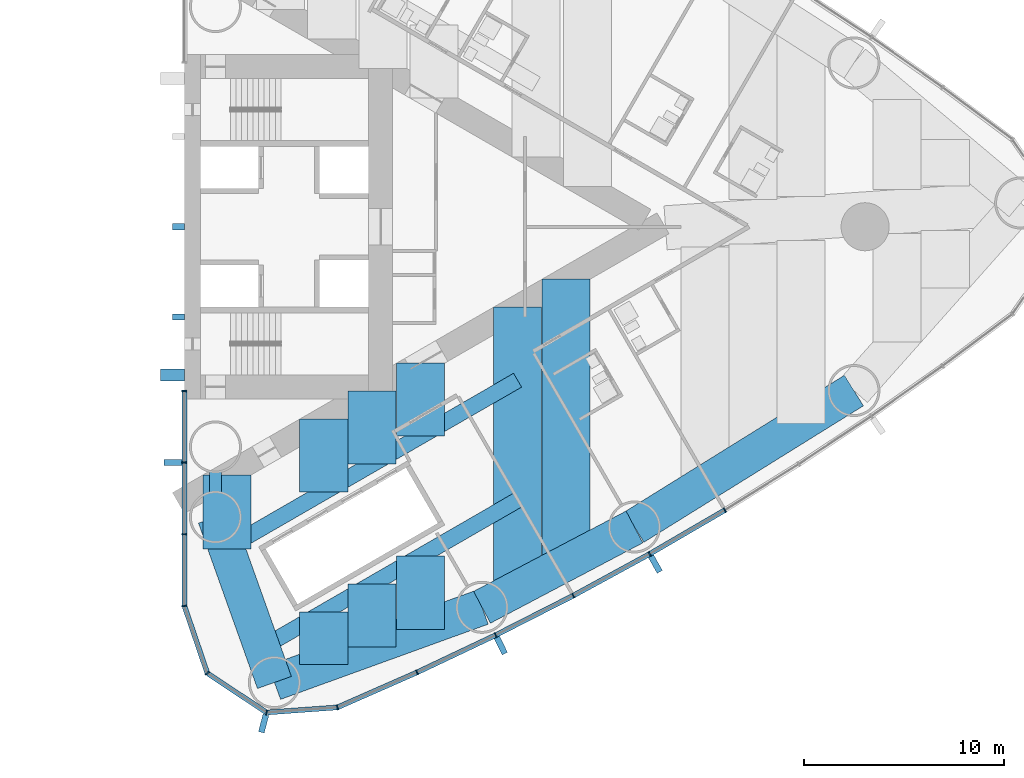
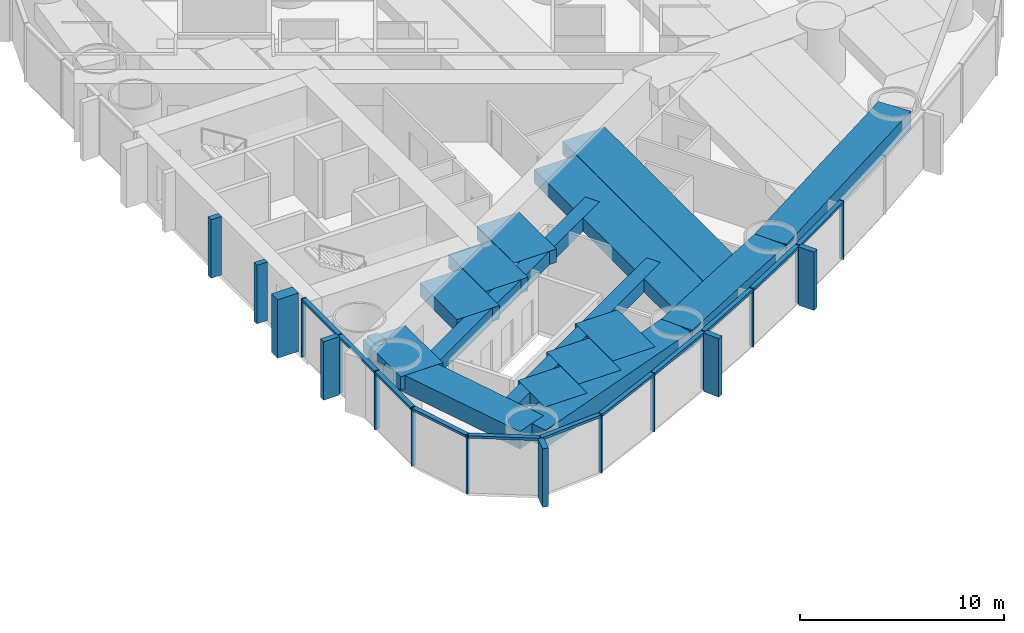
# One storey, part 6 of 18: 30 members, 16 beams, 1 element without a shape of its own.
"""IFC4 building model written with IfcOpenShell, lengths in metres."""

import ifcopenshell
import ifcopenshell.guid

model = None  # the IFC model being written
_history = None  # IfcOwnerHistory: only IFC2X3 demands one
_inside = {}  # id of a spatial element -> (the spatial element, [elements in it])
_under = {}  # id of a project, library or spatial element -> (it, [spatial elements below it])
_declared = {}  # id of a project -> (the project, [libraries it declares])
_typed = {}  # id of a type object -> (the type object, [elements of that type])
_made_of = {}  # id of a material, layer set ... -> (it, [elements and type objects made of it])


def new_model(schema):
    """Start an empty IFC model of exactly this schema.

    Asked for "IFC4X3", IfcOpenShell would pick the latest addendum, in which some entities
    have other attributes; the version numbers below select the first issue.
    IFC2X3 requires an IfcOwnerHistory on every rooted entity: one is made here for all.
    """
    global model, _history
    if schema == "IFC4X3":
        model = ifcopenshell.file(schema_version=(4, 3, 0, 0))
    else:
        model = ifcopenshell.file(schema=schema)
    _inside.clear()
    _under.clear()
    _declared.clear()
    _typed.clear()
    _made_of.clear()
    _history = None
    if model.schema == "IFC2X3":
        org = make("IfcOrganization", Name="unknown")
        user = make(
            "IfcPersonAndOrganization",
            ThePerson=make("IfcPerson", FamilyName="unknown"),
            TheOrganization=org,
        )
        app = make(
            "IfcApplication",
            ApplicationDeveloper=org,
            Version="unknown",
            ApplicationFullName="unknown",
            ApplicationIdentifier="unknown",
        )
        _history = make(
            "IfcOwnerHistory",
            OwningUser=user,
            OwningApplication=app,
            ChangeAction="ADDED",
            CreationDate=0,
        )
    return model


def make(cls, **values):
    """One entity of the class cls with the attributes given. An attribute that is None is left unset."""
    return model.create_entity(
        cls, **{name: value for name, value in values.items() if value is not None}
    )


def rooted(cls, **values):
    """An entity with a GlobalId (a new one), such as an element, a storey or a relation."""
    return make(cls, GlobalId=ifcopenshell.guid.new(), OwnerHistory=_history, **values)


def si_unit(unit_type, name, prefix=None):
    """IfcSIUnit, for example si_unit("LENGTHUNIT", "METRE", prefix="MILLI")."""
    return make("IfcSIUnit", UnitType=unit_type, Prefix=prefix, Name=name)


def assignment(units):
    """IfcUnitAssignment: the units of a project."""
    return None if units is None else make("IfcUnitAssignment", Units=units)


def point(xyz):
    """IfcCartesianPoint."""
    return None if xyz is None else make("IfcCartesianPoint", Coordinates=xyz)


def direction(xyz):
    """IfcDirection."""
    return None if xyz is None else make("IfcDirection", DirectionRatios=xyz)


def frame(location, z_axis=None, x_axis=None):
    """IfcAxis2Placement3D, a coordinate frame: its origin and axes. An axis left out is left unset."""
    return make(
        "IfcAxis2Placement3D",
        Location=point(location),
        Axis=direction(z_axis),
        RefDirection=direction(x_axis),
    )


def frame_2d(location, x_axis=None):
    """IfcAxis2Placement2D, a coordinate frame in the plane: its origin and x axis."""
    return make(
        "IfcAxis2Placement2D", Location=point(location), RefDirection=direction(x_axis)
    )


def origin():
    """The frame at (0, 0, 0) with its axes left unset."""
    return frame((0.0, 0.0, 0.0))


def origin_2d():
    """The frame at (0, 0) in the plane with its x axis left unset."""
    return frame_2d((0.0, 0.0))


def place(relative_to, where):
    """IfcLocalPlacement: puts the frame where relative to a parent placement (None: the world)."""
    return make(
        "IfcLocalPlacement", PlacementRelTo=relative_to, RelativePlacement=where
    )


def context(
    kind, dimensions, precision=None, world=None, true_north=None, identifier=None
):
    """IfcGeometricRepresentationContext, for example the 3D "Model" context."""
    return make(
        "IfcGeometricRepresentationContext",
        ContextIdentifier=identifier,
        ContextType=kind,
        CoordinateSpaceDimension=dimensions,
        Precision=precision,
        WorldCoordinateSystem=world,
        TrueNorth=true_north,
    )


def subcontext(parent, identifier, kind, view, scale=None):
    """IfcGeometricRepresentationSubContext, for example "Body" below "Model"."""
    return make(
        "IfcGeometricRepresentationSubContext",
        ContextIdentifier=identifier,
        ContextType=kind,
        ParentContext=parent,
        TargetScale=scale,
        TargetView=view,
    )


def project(units=None, contexts=None):
    """IfcProject with its units and contexts."""
    return rooted(
        "IfcProject",
        Name="project",
        RepresentationContexts=contexts,
        UnitsInContext=assignment(units),
    )


def spatial(cls, under=None, at=None, **own):
    """A site, building, storey or space (cls), placed at a placement, below another one or the project."""
    s = rooted(cls, ObjectPlacement=at, **own)
    if under is not None:
        _under.setdefault(under.id(), (under, []))[1].append(s)
    return s


def profile(cls, at=None, kind="AREA", **sizes):
    """A parametric profile (cls). Its sizes go by their IFC names, for example OverallWidth=200.0."""
    return make(cls, ProfileType=kind, Position=at, **sizes)


def rectangle(**sizes):
    """IfcRectangleProfileDef."""
    return profile("IfcRectangleProfileDef", **sizes)


def hollow_rectangle(**sizes):
    """IfcRectangleHollowProfileDef."""
    return profile("IfcRectangleHollowProfileDef", **sizes)


def extrude(swept, where, along, depth):
    """IfcExtrudedAreaSolid: the profile swept, set in the frame where, extruded along a direction by depth."""
    return make(
        "IfcExtrudedAreaSolid",
        SweptArea=swept,
        Position=where,
        ExtrudedDirection=direction(along),
        Depth=depth,
    )


def shape(context_of_items, identifier, shape_type, items):
    """IfcShapeRepresentation: the items that make up one representation, for example the "Body"."""
    return make(
        "IfcShapeRepresentation",
        ContextOfItems=context_of_items,
        RepresentationIdentifier=identifier,
        RepresentationType=shape_type,
        Items=items,
    )


def material(Name=None, Category=None):
    """IfcMaterial."""
    return make("IfcMaterial", Name=Name, Category=Category)


def material_profile(
    of_material, cross_section, Name=None, Category=None, Priority=None
):
    """IfcMaterialProfile: a cross section and its material."""
    return make(
        "IfcMaterialProfile",
        Name=Name,
        Material=of_material,
        Profile=cross_section,
        Priority=Priority,
        Category=Category,
    )


def profile_set(profiles, Name=None, composite=None):
    """IfcMaterialProfileSet."""
    return make(
        "IfcMaterialProfileSet",
        Name=Name,
        MaterialProfiles=profiles,
        CompositeProfile=composite,
    )


def made_of(thing, what):
    """Note that an element or type object is made of a material, layer set ...; save() writes the relation."""
    if what is not None:
        _made_of.setdefault(what.id(), (what, []))[1].append(thing)
    return thing


def type_object(cls, material=None, **own):
    """A type object (cls), such as IfcWallType, which elements share."""
    return made_of(rooted(cls, **own), material)


def element(
    cls,
    number,
    at=None,
    inside=None,
    cuts=None,
    type_object=None,
    material=None,
    context=None,
    identifier="Body",
    shape_type=None,
    held_by="IfcProductDefinitionShape",
    body=None,
    shapes=None,
    **own,
):
    """One element of the class cls, such as IfcWall. Its Tag is "e" and its number.

    at: its placement. inside: the storey or other place that contains it. cuts: it is an
    opening in that element (IfcRelVoidsElement). A single representation is given by context,
    identifier, shape_type and body (its items); several are given by shapes. held_by: the class
    of the entity that holds the representations. save() writes the other relations.
    """
    e = rooted(cls, Tag="e%d" % number, ObjectPlacement=at, **own)
    if body is not None:
        shapes = [shape(context, identifier, shape_type, body)]
    if shapes is not None:
        e.Representation = make(held_by, Representations=shapes)
    if inside is not None:
        _inside.setdefault(inside.id(), (inside, []))[1].append(e)
    if cuts is not None:
        rooted(
            "IfcRelVoidsElement", RelatingBuildingElement=cuts, RelatedOpeningElement=e
        )
    if type_object is not None:
        _typed.setdefault(type_object.id(), (type_object, []))[1].append(e)
    return made_of(e, material)


def aggregate(whole, parts):
    """IfcRelAggregates: a whole, such as a stair, and the parts it consists of."""
    return rooted("IfcRelAggregates", RelatingObject=whole, RelatedObjects=parts)


def save(model, path):
    """Write the relations noted so far, then the file.

    IfcRelAggregates (storeys below a building ...), IfcRelContainedInSpatialStructure (elements
    in a storey), IfcRelDefinesByType, IfcRelAssociatesMaterial and IfcRelDeclares: one each for
    every whole, place, type object, material and project.
    """
    for whole, parts in _under.values():
        aggregate(whole, parts)
    for where, things in _inside.values():
        rooted(
            "IfcRelContainedInSpatialStructure",
            RelatedElements=things,
            RelatingStructure=where,
        )
    for kind, things in _typed.values():
        rooted("IfcRelDefinesByType", RelatedObjects=things, RelatingType=kind)
    for what, things in _made_of.values():
        rooted("IfcRelAssociatesMaterial", RelatedObjects=things, RelatingMaterial=what)
    for by, libraries in _declared.values():
        rooted("IfcRelDeclares", RelatingContext=by, RelatedDefinitions=libraries)
    model.write(path)


model = new_model("IFC4")

# Units and contexts
model_context = context("Model", 3, precision=1e-05, world=origin(), true_north=direction((0.0, 1.0)))
body_context = subcontext(model_context, "Body", "Model", "MODEL_VIEW")
ifc_project = project(units=[si_unit("LENGTHUNIT", "METRE"), si_unit("AREAUNIT", "SQUARE_METRE"), si_unit("VOLUMEUNIT", "CUBIC_METRE"), si_unit("PLANEANGLEUNIT", "RADIAN"), si_unit("MASSUNIT", "GRAM", prefix="KILO")], contexts=[model_context])

# Site, building, storey
site_placement = place(None, origin())
site = spatial("IfcSite", under=ifc_project, at=site_placement, CompositionType="ELEMENT")
building_placement = place(site_placement, origin())
building = spatial("IfcBuilding", under=site, at=building_placement, Name="Lancet Gate Hotel", CompositionType="ELEMENT")
storey_placement = place(building_placement, frame((0.0, 0.0, 129.10009765625)))
storey = spatial("IfcBuildingStorey", under=building, at=storey_placement, Name="L34", CompositionType="ELEMENT", Elevation=129.10009765625)

# Curtain wall, members
ifc_material_1 = material(Name="Aluminium curtain wall", Category="aluminium")
curtain_wall_type = type_object("IfcCurtainWallType", Name="Tower unitised curtain wall", PredefinedType="USERDEFINED", material=ifc_material_1)
curtain_wall_placement = place(storey_placement, origin())
curtain_wall = element("IfcCurtainWall", 1, at=curtain_wall_placement, inside=storey, type_object=curtain_wall_type, Name="T2 L34 curtain wall 1", ObjectType="UNITISED CURTAIN WALL", PredefinedType="USERDEFINED")
ifc_material_2 = material(Name="Aluminium mullion", Category="aluminium")
ifc_material_profile_1 = material_profile(ifc_material_2, rectangle(XDim=0.06494140625, YDim=0.25, at=origin_2d()), Name="MULLION 65x250")
ifc_profile_set_1 = profile_set([ifc_material_profile_1], Name="Aluminium mullion")
member_type_1 = type_object("IfcMemberType", Name="Aluminium mullion 65x250", PredefinedType="MULLION", material=ifc_profile_set_1)
member_1_placement = place(storey_placement, frame((27.5, -8.199951171875, 0.0), z_axis=(0.0, 0.0, 1.0), x_axis=(0.0, -1.0, 0.0)))
member_1 = element("IfcMember", 2, at=member_1_placement, type_object=member_type_1, Name="T2 L34 curtain wall 1 mullion 1", PredefinedType="MULLION", context=body_context, shape_type="SweptSolid", body=[
    extrude(rectangle(XDim=0.06494140625, YDim=0.25, at=origin_2d()), origin(), (0.0, 0.0, 1.0), 3.5),
])
member_2_placement = place(storey_placement, frame((27.5, -11.781005859375, 0.0), z_axis=(0.0, 0.0, 1.0), x_axis=(0.0, -1.0, 0.0)))
member_2 = element("IfcMember", 3, at=member_2_placement, type_object=member_type_1, Name="T2 L34 curtain wall 1 mullion 2", PredefinedType="MULLION", context=body_context, shape_type="SweptSolid", body=[
    extrude(rectangle(XDim=0.06494140625, YDim=0.25, at=origin_2d()), origin(), (0.0, 0.0, 1.0), 3.5),
])
member_3_placement = place(storey_placement, frame((27.5, -15.362060546875, 0.0), z_axis=(0.0, 0.0, 1.0), x_axis=(0.0, -1.0, 0.0)))
member_3 = element("IfcMember", 4, at=member_3_placement, type_object=member_type_1, Name="T2 L34 curtain wall 1 mullion 3", PredefinedType="MULLION", context=body_context, shape_type="SweptSolid", body=[
    extrude(rectangle(XDim=0.06494140625, YDim=0.25, at=origin_2d()), origin(), (0.0, 0.0, 1.0), 3.5),
])
member_4_placement = place(storey_placement, frame((27.5, -18.94287109375, 0.0), z_axis=(0.0, 0.0, 1.0), x_axis=(0.162738742557, -0.986669195663, 0.0)))
member_4 = element("IfcMember", 5, at=member_4_placement, type_object=member_type_1, Name="T2 L34 curtain wall 1 mullion 4", PredefinedType="MULLION", context=body_context, shape_type="SweptSolid", body=[
    extrude(rectangle(XDim=0.06494140625, YDim=0.25, at=origin_2d()), origin(), (0.0, 0.0, 1.0), 3.5),
])
member_5_placement = place(storey_placement, frame((28.64453125, -22.301513671875, 0.0), z_axis=(0.0, 0.0, 1.0), x_axis=(0.610663954798, -0.79188984986, 0.0)))
member_5 = element("IfcMember", 6, at=member_5_placement, type_object=member_type_1, Name="T2 L34 curtain wall 1 mullion 5", PredefinedType="MULLION", context=body_context, shape_type="SweptSolid", body=[
    extrude(rectangle(XDim=0.06494140625, YDim=0.25, at=origin_2d()), origin(), (0.0, 0.0, 1.0), 3.5),
])
member_6_placement = place(storey_placement, frame((31.60205078125, -24.26220703125, 0.0), z_axis=(0.0, 0.0, 1.0), x_axis=(0.967157174963, -0.254179068604, 0.0)))
member_6 = element("IfcMember", 7, at=member_6_placement, type_object=member_type_1, Name="T2 L34 curtain wall 1 mullion 6", PredefinedType="MULLION", context=body_context, shape_type="SweptSolid", body=[
    extrude(rectangle(XDim=0.06494140625, YDim=0.25, at=origin_2d()), origin(), (0.0, 0.0, 1.0), 3.5),
])
member_7_placement = place(storey_placement, frame((35.141357421875, -24.009033203125, 0.0), z_axis=(0.0, 0.0, 1.0), x_axis=(0.966317378791, 0.257353304711, 0.0)))
member_7 = element("IfcMember", 8, at=member_7_placement, type_object=member_type_1, Name="T2 L34 curtain wall 1 mullion 7", PredefinedType="MULLION", context=body_context, shape_type="SweptSolid", body=[
    extrude(rectangle(XDim=0.06494140625, YDim=0.25, at=origin_2d()), origin(), (0.0, 0.0, 1.0), 3.5),
])
member_8_placement = place(storey_placement, frame((39.12109375, -22.259765625, 0.0), z_axis=(0.0, 0.0, 1.0), x_axis=(0.909672766767, 0.415325724465, 0.0)))
member_8 = element("IfcMember", 9, at=member_8_placement, type_object=member_type_1, Name="T2 L34 curtain wall 1 mullion 8", PredefinedType="MULLION", context=body_context, shape_type="SweptSolid", body=[
    extrude(rectangle(XDim=0.06494140625, YDim=0.25, at=origin_2d()), origin(), (0.0, 0.0, 1.0), 3.5),
])
member_9_placement = place(storey_placement, frame((43.0498046875, -20.398193359375, 0.0), z_axis=(0.0, 0.0, 1.0), x_axis=(0.897511886496, 0.440990264743, 0.0)))
member_9 = element("IfcMember", 10, at=member_9_placement, type_object=member_type_1, Name="T2 L34 curtain wall 1 mullion 9", PredefinedType="MULLION", context=body_context, shape_type="SweptSolid", body=[
    extrude(rectangle(XDim=0.06494140625, YDim=0.25, at=origin_2d()), origin(), (0.0, 0.0, 1.0), 3.5),
])
member_10_placement = place(storey_placement, frame((46.923828125, -18.426025390625, 0.0), z_axis=(0.0, 0.0, 1.0), x_axis=(0.884627112962, 0.466299121822, 0.0)))
member_10 = element("IfcMember", 11, at=member_10_placement, type_object=member_type_1, Name="T2 L34 curtain wall 1 mullion 10", PredefinedType="MULLION", context=body_context, shape_type="SweptSolid", body=[
    extrude(rectangle(XDim=0.06494140625, YDim=0.25, at=origin_2d()), origin(), (0.0, 0.0, 1.0), 3.5),
])
member_11_placement = place(storey_placement, frame((50.740478515625, -16.344482421875, 0.0), z_axis=(0.0, 0.0, 1.0), x_axis=(0.871028838445, 0.491231882716, 0.0)))
member_11 = element("IfcMember", 12, at=member_11_placement, type_object=member_type_1, Name="T2 L34 curtain wall 1 mullion 11", PredefinedType="MULLION", context=body_context, shape_type="SweptSolid", body=[
    extrude(rectangle(XDim=0.06494140625, YDim=0.25, at=origin_2d()), origin(), (0.0, 0.0, 1.0), 3.5),
])
member_12_placement = place(storey_placement, frame((54.496337890625, -14.1552734375, 0.0), z_axis=(0.0, 0.0, 1.0), x_axis=(0.856728030701, 0.515768437781, 0.0)))
member_12 = element("IfcMember", 13, at=member_12_placement, type_object=member_type_1, Name="T2 L34 curtain wall 1 mullion 12", PredefinedType="MULLION", context=body_context, shape_type="SweptSolid", body=[
    extrude(rectangle(XDim=0.06494140625, YDim=0.25, at=origin_2d()), origin(), (0.0, 0.0, 1.0), 3.5),
])
ifc_material_3 = material(Name="Aluminium transom", Category="aluminium")
ifc_material_profile_2 = material_profile(ifc_material_3, rectangle(XDim=0.25, YDim=0.14990234375, at=origin_2d()), Name="TRANSOM 250x150")
ifc_profile_set_2 = profile_set([ifc_material_profile_2], Name="Aluminium transom")
member_type_2 = type_object("IfcMemberType", Name="Aluminium transom 250x150", PredefinedType="USERDEFINED", material=ifc_profile_set_2)
member_13_placement = place(storey_placement, frame((27.5, -8.232421875, 3.4248046875), z_axis=(0.0, -1.0, 0.0), x_axis=(1.0, 0.0, 0.0)))
member_13 = element("IfcMember", 14, at=member_13_placement, type_object=member_type_2, Name="T2 L34 curtain wall 1 transom 1", ObjectType="TRANSOM", PredefinedType="USERDEFINED", context=body_context, shape_type="SweptSolid", body=[
    extrude(rectangle(XDim=0.25, YDim=0.14990234375, at=origin_2d()), origin(), (0.0, 0.0, 1.0), 3.51611328125),
])
member_14_placement = place(storey_placement, frame((27.5, -11.8134765625, 3.4248046875), z_axis=(0.0, -1.0, 0.0), x_axis=(1.0, 0.0, 0.0)))
member_14 = element("IfcMember", 15, at=member_14_placement, type_object=member_type_2, Name="T2 L34 curtain wall 1 transom 2", ObjectType="TRANSOM", PredefinedType="USERDEFINED", context=body_context, shape_type="SweptSolid", body=[
    extrude(rectangle(XDim=0.25, YDim=0.14990234375, at=origin_2d()), origin(), (0.0, 0.0, 1.0), 3.515869140625),
])
member_15_placement = place(storey_placement, frame((27.5, -15.39453125, 3.4248046875), z_axis=(0.0, -1.0, 0.0), x_axis=(1.0, 0.0, 0.0)))
member_15 = element("IfcMember", 16, at=member_15_placement, type_object=member_type_2, Name="T2 L34 curtain wall 1 transom 3", ObjectType="TRANSOM", PredefinedType="USERDEFINED", context=body_context, shape_type="SweptSolid", body=[
    extrude(rectangle(XDim=0.25, YDim=0.14990234375, at=origin_2d()), origin(), (0.0, 0.0, 1.0), 3.515869140625),
])
member_16_placement = place(storey_placement, frame((27.510498046875, -18.9736328125, 3.4248046875), z_axis=(0.322549769135, -0.946552505903, 0.0), x_axis=(0.946552505903, 0.322549769135, 0.0)))
member_16 = element("IfcMember", 17, at=member_16_placement, type_object=member_type_2, Name="T2 L34 curtain wall 1 transom 4", ObjectType="TRANSOM", PredefinedType="USERDEFINED", context=body_context, shape_type="SweptSolid", body=[
    extrude(rectangle(XDim=0.25, YDim=0.14990234375, at=origin_2d()), origin(), (0.0, 0.0, 1.0), 3.4833984375),
])
member_17_placement = place(storey_placement, frame((28.671630859375, -22.319580078125, 3.4248046875), z_axis=(0.833470854141, -0.552563421968, 0.0), x_axis=(0.552563421968, 0.833470854141, 0.0)))
member_17 = element("IfcMember", 18, at=member_17_placement, type_object=member_type_2, Name="T2 L34 curtain wall 1 transom 5", ObjectType="TRANSOM", PredefinedType="USERDEFINED", context=body_context, shape_type="SweptSolid", body=[
    extrude(rectangle(XDim=0.25, YDim=0.14990234375, at=origin_2d()), origin(), (0.0, 0.0, 1.0), 3.4833984375),
])
member_18_placement = place(storey_placement, frame((31.634521484375, -24.260009765625, 3.4248046875), z_axis=(0.997446232115, 0.071421383636, 0.0), x_axis=(-0.071421383636, 0.997446232115, 0.0)))
member_18 = element("IfcMember", 19, at=member_18_placement, type_object=member_type_2, Name="T2 L34 curtain wall 1 transom 6", ObjectType="TRANSOM", PredefinedType="USERDEFINED", context=body_context, shape_type="SweptSolid", body=[
    extrude(rectangle(XDim=0.25, YDim=0.14990234375, at=origin_2d()), origin(), (0.0, 0.0, 1.0), 3.483154296875),
])
member_19_placement = place(storey_placement, frame((35.171142578125, -23.995849609375, 3.4248046875), z_axis=(0.915484772266, 0.402352621155, 0.0), x_axis=(-0.402352621155, 0.915484772266, 0.0)))
member_19 = element("IfcMember", 20, at=member_19_placement, type_object=member_type_2, Name="T2 L34 curtain wall 1 transom 7", ObjectType="TRANSOM", PredefinedType="USERDEFINED", context=body_context, shape_type="SweptSolid", body=[
    extrude(rectangle(XDim=0.25, YDim=0.14990234375, at=origin_2d()), origin(), (0.0, 0.0, 1.0), 4.281982421875),
])
member_20_placement = place(storey_placement, frame((39.150634765625, -22.245849609375, 3.4248046875), z_axis=(0.903679787814, 0.428208875546, 0.0), x_axis=(-0.428208875546, 0.903679787814, 0.0)))
member_20 = element("IfcMember", 21, at=member_20_placement, type_object=member_type_2, Name="T2 L34 curtain wall 1 transom 8", ObjectType="TRANSOM", PredefinedType="USERDEFINED", context=body_context, shape_type="SweptSolid", body=[
    extrude(rectangle(XDim=0.25, YDim=0.14990234375, at=origin_2d()), origin(), (0.0, 0.0, 1.0), 4.282470703125),
])
member_21_placement = place(storey_placement, frame((43.07861328125, -20.383544921875, 3.4248046875), z_axis=(0.891165630033, 0.453678101574, 0.0), x_axis=(-0.453678101574, 0.891165630033, 0.0)))
member_21 = element("IfcMember", 22, at=member_21_placement, type_object=member_type_2, Name="T2 L34 curtain wall 1 transom 9", ObjectType="TRANSOM", PredefinedType="USERDEFINED", context=body_context, shape_type="SweptSolid", body=[
    extrude(rectangle(XDim=0.25, YDim=0.14990234375, at=origin_2d()), origin(), (0.0, 0.0, 1.0), 4.282470703125),
])
member_22_placement = place(storey_placement, frame((46.952392578125, -18.410400390625, 3.4248046875), z_axis=(0.877906466435, 0.478832158685, 0.0), x_axis=(-0.478832158685, 0.877906466435, 0.0)))
member_22 = element("IfcMember", 23, at=member_22_placement, type_object=member_type_2, Name="T2 L34 curtain wall 1 transom 10", ObjectType="TRANSOM", PredefinedType="USERDEFINED", context=body_context, shape_type="SweptSolid", body=[
    extrude(rectangle(XDim=0.25, YDim=0.14990234375, at=origin_2d()), origin(), (0.0, 0.0, 1.0), 4.282470703125),
])
member_23_placement = place(storey_placement, frame((50.7685546875, -16.327880859375, 3.4248046875), z_axis=(0.863973212152, 0.503537772847, 0.0), x_axis=(-0.503537772847, 0.863973212152, 0.0)))
member_23 = element("IfcMember", 24, at=member_23_placement, type_object=member_type_2, Name="T2 L34 curtain wall 1 transom 11", ObjectType="TRANSOM", PredefinedType="USERDEFINED", context=body_context, shape_type="SweptSolid", body=[
    extrude(rectangle(XDim=0.25, YDim=0.14990234375, at=origin_2d()), origin(), (0.0, 0.0, 1.0), 4.2822265625),
])

# Beams
ifc_material_4 = material(Name="Concrete C50/60", Category="concrete")
ifc_material_profile_3 = material_profile(ifc_material_4, rectangle(XDim=1.800048828125, YDim=1.050048828125, at=origin_2d()), Name="RC 1800x1050")
ifc_profile_set_3 = profile_set([ifc_material_profile_3], Name="Concrete C50/60")
beam_type_1 = type_object("IfcBeamType", Name="Edge beam RC 1800x1050", PredefinedType="SPANDREL", material=ifc_profile_set_3)
beam_1_placement = place(storey_placement, frame((31.99609375, -22.76318359375, 2.724853515625), z_axis=(0.940225039526, 0.340553777029, 0.0), x_axis=(-0.340553777029, 0.940225039526, 0.0)))
element("IfcBeam", 25, at=beam_1_placement, inside=storey, type_object=beam_type_1, Name="T2 edge beam EB1 L34", PredefinedType="SPANDREL", context=body_context, shape_type="SweptSolid", body=[
    extrude(rectangle(XDim=1.800048828125, YDim=1.050048828125, at=origin_2d()), origin(), (0.0, 0.0, 1.0), 11.029296875),
])
beam_2_placement = place(storey_placement, frame((42.3662109375, -19.007080078125, 2.724853515625), z_axis=(0.884632510133, 0.466288882578, 0.0), x_axis=(-0.466288882578, 0.884632510133, 0.0)))
element("IfcBeam", 26, at=beam_2_placement, inside=storey, type_object=beam_type_1, Name="T2 edge beam EB1 L34", PredefinedType="SPANDREL", context=body_context, shape_type="SweptSolid", body=[
    extrude(rectangle(XDim=1.800048828125, YDim=1.050048828125, at=origin_2d()), origin(), (0.0, 0.0, 1.0), 8.605712890625),
])
beam_3_placement = place(storey_placement, frame((49.97900390625, -14.994384765625, 2.724853515625), z_axis=(0.849312372751, 0.527890607505, 0.0), x_axis=(-0.527890607505, 0.849312372751, 0.0)))
element("IfcBeam", 27, at=beam_3_placement, inside=storey, type_object=beam_type_1, Name="T2 edge beam EB1 L34", PredefinedType="SPANDREL", context=body_context, shape_type="SweptSolid", body=[
    extrude(rectangle(XDim=1.800048828125, YDim=1.050048828125, at=origin_2d()), origin(), (0.0, 0.0, 1.0), 12.906494140625),
])
beam_4_placement = place(storey_placement, frame((31.99609375, -22.76318359375, 2.724853515625), z_axis=(-0.335821559388, 0.941925623523, 0.0), x_axis=(-0.941925623523, -0.335821559388, 0.0)))
element("IfcBeam", 28, at=beam_4_placement, inside=storey, type_object=beam_type_1, Name="T2 edge beam EB1 L34", PredefinedType="SPANDREL", context=body_context, shape_type="SweptSolid", body=[
    extrude(rectangle(XDim=1.800048828125, YDim=1.050048828125, at=origin_2d()), origin(), (0.0, 0.0, 1.0), 8.772705078125),
])

# Member
ifc_material_5 = material(Name="Concrete C60/75", Category="concrete")
ifc_material_profile_4 = material_profile(ifc_material_5, rectangle(XDim=0.60009765625, YDim=1.199951171875, at=origin_2d()), Name="FIN 600x1200")
ifc_profile_set_4 = profile_set([ifc_material_profile_4], Name="Concrete C60/75")
member_type_3 = type_object("IfcMemberType", Name="Exposed concrete buttress pilaster 600x1200", PredefinedType="USERDEFINED", material=ifc_profile_set_4)
member_24_placement = place(storey_placement, frame((26.909912109375, -7.39990234375, 0.0), z_axis=(0.0, 0.0, 1.0), x_axis=(0.0, 1.0, 0.0)))
element("IfcMember", 29, at=member_24_placement, inside=storey, type_object=member_type_3, Name="T2 buttress pilaster S L34", ObjectType="FIN", PredefinedType="USERDEFINED", context=body_context, shape_type="SweptSolid", body=[
    extrude(rectangle(XDim=0.60009765625, YDim=1.199951171875, at=origin_2d()), origin(), (0.0, 0.0, 1.0), 3.5),
])

ifc_material_6 = material(Name="Precast concrete C50/60", Category="concrete")
ifc_material_profile_5 = material_profile(ifc_material_6, rectangle(XDim=0.300048828125, YDim=0.89990234375, at=origin_2d()), Name="FIN 300x900")
ifc_profile_set_5 = profile_set([ifc_material_profile_5], Name="Precast concrete C50/60")
member_type_4 = type_object("IfcMemberType", Name="Exposed concrete fin 300x900", PredefinedType="USERDEFINED", material=ifc_profile_set_5)
member_25_placement = place(storey_placement, frame((26.925048828125, -11.781005859375, 0.0), z_axis=(0.0, 0.0, 1.0), x_axis=(0.0, -1.0, 0.0)))
member_25 = element("IfcMember", 30, at=member_25_placement, type_object=member_type_4, Name="T2 L34 curtain wall 1 fin 2", ObjectType="FIN", PredefinedType="USERDEFINED", context=body_context, shape_type="SweptSolid", body=[
    extrude(rectangle(XDim=0.300048828125, YDim=0.89990234375, at=origin_2d()), origin(), (0.0, 0.0, 1.0), 3.5),
])

member_26_placement = place(storey_placement, frame((31.455810546875, -24.818359375, 0.0), z_axis=(0.0, 0.0, 1.0), x_axis=(0.967157174963, -0.254179068604, 0.0)))
member_26 = element("IfcMember", 31, at=member_26_placement, type_object=member_type_4, Name="T2 L34 curtain wall 1 fin 6", ObjectType="FIN", PredefinedType="USERDEFINED", context=body_context, shape_type="SweptSolid", body=[
    extrude(rectangle(XDim=0.300048828125, YDim=0.89990234375, at=origin_2d()), origin(), (0.0, 0.0, 1.0), 3.5),
])

member_27_placement = place(storey_placement, frame((43.30322265625, -20.914306640625, 0.0), z_axis=(0.0, 0.0, 1.0), x_axis=(0.897511886496, 0.440990264743, 0.0)))
member_27 = element("IfcMember", 32, at=member_27_placement, type_object=member_type_4, Name="T2 L34 curtain wall 1 fin 9", ObjectType="FIN", PredefinedType="USERDEFINED", context=body_context, shape_type="SweptSolid", body=[
    extrude(rectangle(XDim=0.300048828125, YDim=0.89990234375, at=origin_2d()), origin(), (0.0, 0.0, 1.0), 3.5),
])

member_28_placement = place(storey_placement, frame((51.02294921875, -16.84521484375, 0.0), z_axis=(0.0, 0.0, 1.0), x_axis=(0.871028838445, 0.491231882716, 0.0)))
member_28 = element("IfcMember", 33, at=member_28_placement, type_object=member_type_4, Name="T2 L34 curtain wall 1 fin 11", ObjectType="FIN", PredefinedType="USERDEFINED", context=body_context, shape_type="SweptSolid", body=[
    extrude(rectangle(XDim=0.300048828125, YDim=0.89990234375, at=origin_2d()), origin(), (0.0, 0.0, 1.0), 3.5),
])

aggregate(curtain_wall, [member_1, member_2, member_25, member_3, member_4, member_5, member_6, member_26, member_7, member_8, member_9, member_27, member_10, member_11, member_28, member_12, member_13, member_14, member_15, member_16, member_17, member_18, member_19, member_20, member_21, member_22, member_23])

# Members
ifc_material_7 = material(Name="Concrete C60/75", Category="concrete")
ifc_material_profile_6 = material_profile(ifc_material_7, rectangle(XDim=0.300048828125, YDim=0.60009765625, at=origin_2d()), Name="FIN 300x600")
ifc_profile_set_6 = profile_set([ifc_material_profile_6], Name="Concrete C60/75")
member_type_5 = type_object("IfcMemberType", Name="Exposed concrete rib 300x600", PredefinedType="USERDEFINED", material=ifc_profile_set_6)
for number, where, z_axis, x_axis, name in (
    (34, (27.2099609375, -4.5, 0.0), (0.0, 0.0, 1.0), (0.0, 1.0, 0.0), "T2 core rib 1 L34"),
    (35, (27.2099609375, 0.0, 0.0), (0.0, 0.0, 1.0), (0.0, 1.0, 0.0), "T2 core rib 2 L34"),
):
    element("IfcMember", number, at=place(storey_placement, frame(where, z_axis=z_axis, x_axis=x_axis)), inside=storey, type_object=member_type_5, Name=name, ObjectType="FIN", PredefinedType="USERDEFINED", context=body_context, shape_type="SweptSolid", body=[
        extrude(rectangle(XDim=0.300048828125, YDim=0.60009765625, at=origin_2d()), origin(), (0.0, 0.0, 1.0), 3.5),
    ])

# Beams
ifc_material_8 = material(Name="Concrete C50/60", Category="concrete")
ifc_material_profile_7 = material_profile(ifc_material_8, rectangle(XDim=2.39990234375, YDim=0.800048828125, at=origin_2d()), Name="RC 2400x800")
ifc_profile_set_7 = profile_set([ifc_material_profile_7], Name="Concrete C50/60")
beam_type_2 = type_object("IfcBeamType", Name="Floor beam RC 2400x800", PredefinedType="BEAM", material=ifc_profile_set_7)
beam_5_placement = place(storey_placement, frame((29.6201171875, -16.099365234375, 2.849853515625), z_axis=(0.0, 1.0, 0.0), x_axis=(-1.0, 0.0, 0.0)))
element("IfcBeam", 36, at=beam_5_placement, inside=storey, type_object=beam_type_2, Name="T2 floor beam F01S L34", PredefinedType="BEAM", context=body_context, shape_type="SweptSolid", body=[
    extrude(rectangle(XDim=2.39990234375, YDim=0.800048828125, at=origin_2d()), origin(), (0.0, 0.0, 1.0), 3.69677734375),
])
beam_6_placement = place(storey_placement, frame((44.1416015625, -18.0712890625, 2.849853515625), z_axis=(0.0, 1.0, 0.0), x_axis=(-1.0, 0.0, 0.0)))
element("IfcBeam", 37, at=beam_6_placement, inside=storey, type_object=beam_type_2, Name="T2 floor beam F09S L34", PredefinedType="BEAM", context=body_context, shape_type="SweptSolid", body=[
    extrude(rectangle(XDim=2.39990234375, YDim=0.800048828125, at=origin_2d()), origin(), (0.0, 0.0, 1.0), 14.052490234375),
])
beam_7_placement = place(storey_placement, frame((46.561767578125, -16.795654296875, 2.849853515625), z_axis=(0.0, 1.0, 0.0), x_axis=(-1.0, 0.0, 0.0)))
element("IfcBeam", 38, at=beam_7_placement, inside=storey, type_object=beam_type_2, Name="T2 floor beam F11S L34", PredefinedType="BEAM", context=body_context, shape_type="SweptSolid", body=[
    extrude(rectangle(XDim=2.39990234375, YDim=0.800048828125, at=origin_2d()), origin(), (0.0, 0.0, 1.0), 14.17431640625),
])
beam_8_placement = place(storey_placement, frame((34.460693359375, -21.87060546875, 2.849853515625), z_axis=(0.0, 1.0, 0.0), x_axis=(-1.0, 0.0, 0.0)))
element("IfcBeam", 39, at=beam_8_placement, inside=storey, type_object=beam_type_2, Name="T2 floor beam F03SA L34", PredefinedType="BEAM", context=body_context, shape_type="SweptSolid", body=[
    extrude(rectangle(XDim=2.39990234375, YDim=0.800048828125, at=origin_2d()), origin(), (0.0, 0.0, 1.0), 2.62939453125),
])
beam_9_placement = place(storey_placement, frame((34.460693359375, -13.253662109375, 2.849853515625), z_axis=(0.0, 1.0, 0.0), x_axis=(-1.0, 0.0, 0.0)))
element("IfcBeam", 40, at=beam_9_placement, inside=storey, type_object=beam_type_2, Name="T2 floor beam F03SB L34", PredefinedType="BEAM", context=body_context, shape_type="SweptSolid", body=[
    extrude(rectangle(XDim=2.39990234375, YDim=0.800048828125, at=origin_2d()), origin(), (0.0, 0.0, 1.0), 3.645751953125),
])
beam_10_placement = place(storey_placement, frame((36.880859375, -20.993896484375, 2.849853515625), z_axis=(0.0, 1.0, 0.0), x_axis=(-1.0, 0.0, 0.0)))
element("IfcBeam", 41, at=beam_10_placement, inside=storey, type_object=beam_type_2, Name="T2 floor beam F05SA L34", PredefinedType="BEAM", context=body_context, shape_type="SweptSolid", body=[
    extrude(rectangle(XDim=2.39990234375, YDim=0.800048828125, at=origin_2d()), origin(), (0.0, 0.0, 1.0), 3.150146484375),
])
beam_11_placement = place(storey_placement, frame((36.880859375, -11.8564453125, 2.849853515625), z_axis=(0.0, 1.0, 0.0), x_axis=(-1.0, 0.0, 0.0)))
element("IfcBeam", 42, at=beam_11_placement, inside=storey, type_object=beam_type_2, Name="T2 floor beam F05SB L34", PredefinedType="BEAM", context=body_context, shape_type="SweptSolid", body=[
    extrude(rectangle(XDim=2.39990234375, YDim=0.800048828125, at=origin_2d()), origin(), (0.0, 0.0, 1.0), 3.645751953125),
])
beam_12_placement = place(storey_placement, frame((39.301025390625, -20.1171875, 2.849853515625), z_axis=(0.0, 1.0, 0.0), x_axis=(-1.0, 0.0, 0.0)))
element("IfcBeam", 43, at=beam_12_placement, inside=storey, type_object=beam_type_2, Name="T2 floor beam F07SA L34", PredefinedType="BEAM", context=body_context, shape_type="SweptSolid", body=[
    extrude(rectangle(XDim=2.39990234375, YDim=0.800048828125, at=origin_2d()), origin(), (0.0, 0.0, 1.0), 3.670654296875),
])
beam_13_placement = place(storey_placement, frame((39.301025390625, -10.458984375, 2.849853515625), z_axis=(0.0, 1.0, 0.0), x_axis=(-1.0, 0.0, 0.0)))
element("IfcBeam", 44, at=beam_13_placement, inside=storey, type_object=beam_type_2, Name="T2 floor beam F07SB L34", PredefinedType="BEAM", context=body_context, shape_type="SweptSolid", body=[
    extrude(rectangle(XDim=2.39990234375, YDim=0.800048828125, at=origin_2d()), origin(), (0.0, 0.0, 1.0), 3.6455078125),
])
ifc_material_9 = material(Name="Steel S460QL", Category="steel")
ifc_material_profile_8 = material_profile(ifc_material_9, hollow_rectangle(XDim=0.60009765625, YDim=1.5, WallThickness=0.050048828125, at=origin_2d()), Name="BOX 1500x600x50")
ifc_profile_set_8 = profile_set([ifc_material_profile_8], Name="Steel S460QL")
beam_type_3 = type_object("IfcBeamType", Name="Inner-face link beam BOX 1500x600x50", PredefinedType="BEAM", material=ifc_profile_set_8)
beam_14_placement = place(storey_placement, frame((29.050048828125, -13.25, 2.5), z_axis=(0.0, 1.0, 0.0), x_axis=(-1.0, 0.0, 0.0)))
element("IfcBeam", 45, at=beam_14_placement, inside=storey, type_object=beam_type_3, Name="T2 inner-face link beam LK1 L34", PredefinedType="BEAM", context=body_context, shape_type="SweptSolid", body=[
    extrude(hollow_rectangle(XDim=0.60009765625, YDim=1.5, WallThickness=0.050048828125, at=origin_2d()), origin(), (0.0, 0.0, 1.0), 1.0),
])
ifc_material_10 = material(Name="Steel S460QL", Category="steel")
ifc_material_profile_9 = material_profile(ifc_material_10, hollow_rectangle(XDim=0.800048828125, YDim=0.800048828125, WallThickness=0.080078125, at=origin_2d()), Name="BOX 800x800x80")
ifc_profile_set_9 = profile_set([ifc_material_profile_9], Name="Steel S460QL")
beam_type_4 = type_object("IfcBeamType", Name="Trimmer beam BOX 800x800x80", PredefinedType="BEAM", material=ifc_profile_set_9)
beam_15_placement = place(storey_placement, frame((29.6201171875, -16.048095703125, 2.849853515625), z_axis=(0.866036714307, 0.499980409089, 0.0), x_axis=(-0.499980409089, 0.866036714307, 0.0)))
element("IfcBeam", 46, at=beam_15_placement, inside=storey, type_object=beam_type_4, Name="T2 trimmer beam TR01S L34", PredefinedType="BEAM", context=body_context, shape_type="SweptSolid", body=[
    extrude(hollow_rectangle(XDim=0.800048828125, YDim=0.800048828125, WallThickness=0.080078125, at=origin_2d()), origin(), (0.0, 0.0, 1.0), 16.767822265625),
])
beam_16_placement = place(storey_placement, frame((31.375244140625, -21.0224609375, 2.849853515625), z_axis=(0.86603417384, 0.49998480951, 0.0), x_axis=(-0.49998480951, 0.86603417384, 0.0)))
element("IfcBeam", 47, at=beam_16_placement, inside=storey, type_object=beam_type_4, Name="T2 trimmer beam TR02S L34", PredefinedType="BEAM", context=body_context, shape_type="SweptSolid", body=[
    extrude(hollow_rectangle(XDim=0.800048828125, YDim=0.800048828125, WallThickness=0.080078125, at=origin_2d()), origin(), (0.0, 0.0, 1.0), 14.7412109375),
])

save(model, "model.ifc")
